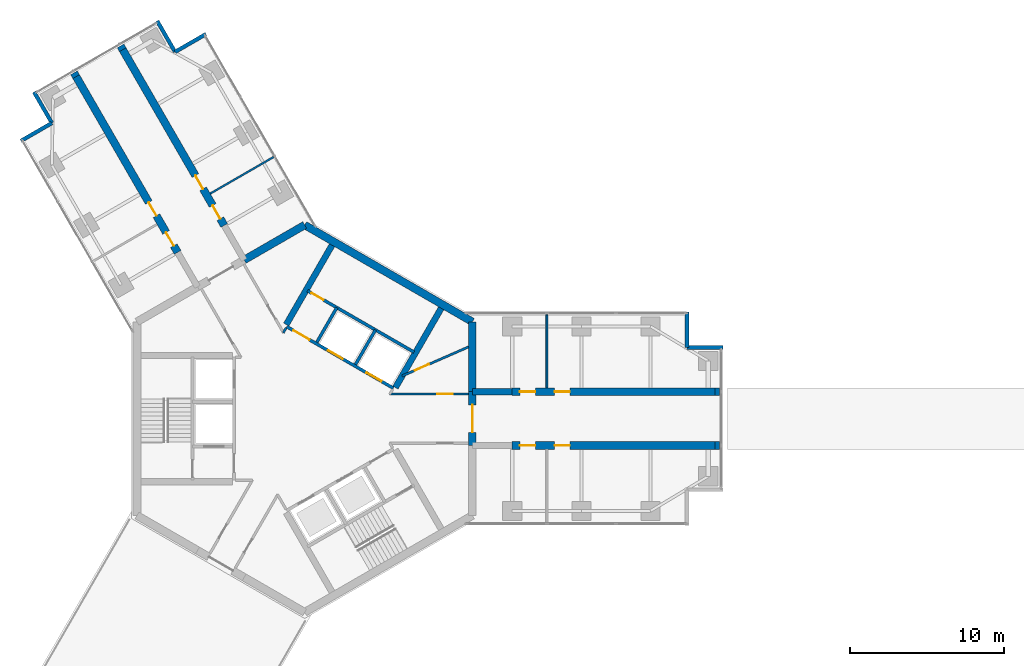
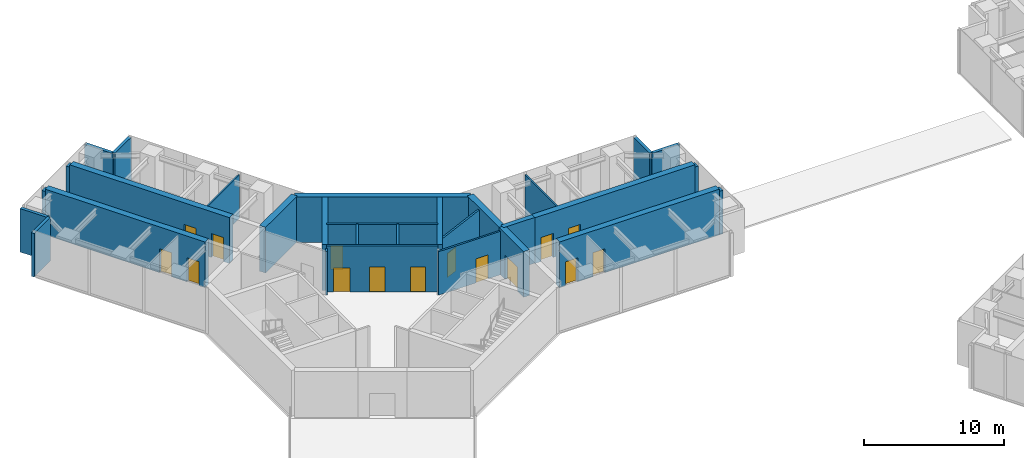
# One storey, part 13 of 18: 30 walls, 15 doors, 15 openings.
"""IFC4 building model written with IfcOpenShell, lengths in metres."""

from ifc_helpers import new_model, si_unit, direction, frame, frame_2d, origin, place, context, subcontext, project, spatial, rectangle, extrude, material, layer, layer_set, type_object, element, fill, save


model = new_model("IFC4")

# Units and contexts
model_context = context("Model", 3, precision=1e-05, world=origin(), true_north=direction((0.0, 1.0)))
body_context = subcontext(model_context, "Body", "Model", "MODEL_VIEW")
ifc_project = project(units=[si_unit("LENGTHUNIT", "METRE"), si_unit("AREAUNIT", "SQUARE_METRE"), si_unit("VOLUMEUNIT", "CUBIC_METRE"), si_unit("PLANEANGLEUNIT", "RADIAN"), si_unit("MASSUNIT", "GRAM", prefix="KILO")], contexts=[model_context])

# Site, building, storey
site_placement = place(None, origin())
site = spatial("IfcSite", under=ifc_project, at=site_placement, CompositionType="ELEMENT")
building_placement = place(site_placement, origin())
building = spatial("IfcBuilding", under=site, at=building_placement, Name="Upepo Twin Towers", CompositionType="ELEMENT")
storey_placement = place(building_placement, frame((0.0, 0.0, 170.5)))
storey = spatial("IfcBuildingStorey", under=building, at=storey_placement, Name="L41", CompositionType="ELEMENT", Elevation=170.5)

# Walls
ifc_material_1 = material(Name="Dense concrete blockwork", Category="masonry")
ifc_layer_1 = layer(ifc_material_1, 0.5)
ifc_layer_set_1 = layer_set([ifc_layer_1], Name="Buttress closer 500, blockwork with fire-stopping to the curtain wall")
wall_type_1 = type_object("IfcWallType", Name="Buttress closer 500, blockwork with fire-stopping to the curtain wall", PredefinedType="PARTITIONING", material=ifc_layer_set_1)
for number, where, z_axis, x_axis, name in (
    (1, (26.699951171875, 1.75, 0.0), (0.0, 0.0, 1.0), (1.0, 0.0, 0.0), "T1 L41 wing A buttress closer L"),
    (2, (26.699951171875, -1.75, 0.0), (0.0, 0.0, 1.0), (1.0, 0.0, 0.0), "T1 L41 wing A buttress closer R"),
    (3, (-14.865478515625, 22.247802734375, 0.0), (0.0, 0.0, 1.0), (-0.500065409566, 0.86598763626, 0.0), "T1 L41 wing B buttress closer L"),
    (4, (-11.83447265625, 23.997802734375, 0.0), (0.0, 0.0, 1.0), (-0.500065409566, 0.86598763626, 0.0), "T1 L41 wing B buttress closer R"),
):
    element("IfcWall", number, at=place(storey_placement, frame(where, z_axis=z_axis, x_axis=x_axis)), inside=storey, type_object=wall_type_1, Name=name, PredefinedType="PARTITIONING", context=body_context, shape_type="SweptSolid", body=[
        extrude(rectangle(XDim=0.28759765625, YDim=0.5, at=frame_2d((0.143798828125, 0.0))), origin(), (0.0, 0.0, 1.0), 3.800048828125),
    ])
ifc_material_2 = material(Name="Concrete C60/75", Category="concrete")
ifc_layer_2 = layer(ifc_material_2, 0.39990234375)
ifc_layer_set_2 = layer_set([ifc_layer_2], Name="Concrete C60/75")
wall_type_2 = type_object("IfcWallType", Name="Buttress wall 400 RC", PredefinedType="SHEAR", material=ifc_layer_set_2)
wall_1_placement = place(storey_placement, frame((10.908447265625, 1.75, 0.0), z_axis=(0.0, 0.0, 1.0), x_axis=(1.0, 0.0, 0.0)))
element("IfcWall", 5, at=wall_1_placement, inside=storey, type_object=wall_type_2, Name="T1 wing A buttress wall L", PredefinedType="SHEAR", context=body_context, shape_type="SweptSolid", body=[
    extrude(rectangle(XDim=2.591552734375, YDim=0.39990234375, at=frame_2d((1.2958984375, 0.0))), origin(), (0.0, 0.0, 1.0), 4.0),
])

# Wall, openings, doors
ifc_material_3 = material(Name="Concrete C60/75", Category="concrete")
ifc_layer_3 = layer(ifc_material_3, 0.5)
ifc_layer_set_3 = layer_set([ifc_layer_3], Name="Concrete C60/75")
wall_type_3 = type_object("IfcWallType", Name="Buttress wall 500 RC", PredefinedType="SHEAR", material=ifc_layer_set_3)
wall_2_placement = place(storey_placement, frame((13.5, 1.75, 0.0), z_axis=(0.0, 0.0, 1.0), x_axis=(1.0, 0.0, 0.0)))
wall_2 = element("IfcWall", 6, at=wall_2_placement, inside=storey, type_object=wall_type_3, Name="T1 wing A buttress wall L part 2", PredefinedType="SHEAR", context=body_context, shape_type="SweptSolid", body=[
    extrude(rectangle(XDim=13.199951171875, YDim=0.5, at=frame_2d((6.60009765625, 0.0))), origin(), (0.0, 0.0, 1.0), 4.0),
])
opening_1_placement = place(wall_2_placement, frame((0.5, 0.0, 0.0)))
opening_1 = element("IfcOpeningElement", 7, at=opening_1_placement, cuts=wall_2, Name="Opening D15", PredefinedType="OPENING", context=body_context, shape_type="SweptSolid", body=[
    extrude(rectangle(XDim=1.0, YDim=2.10009765625, at=frame_2d((0.5, 1.050048828125))), frame((0.0, 0.260009765625, 0.0), z_axis=(0.0, -1.0, 0.0), x_axis=(1.0, 0.0, 0.0)), (0.0, 0.0, 1.0), 0.52001953125),
])
opening_2_placement = place(wall_2_placement, frame((2.75, 0.0, 0.0)))
opening_2 = element("IfcOpeningElement", 8, at=opening_2_placement, cuts=wall_2, Name="Opening D15", PredefinedType="OPENING", context=body_context, shape_type="SweptSolid", body=[
    extrude(rectangle(XDim=1.0, YDim=2.10009765625, at=frame_2d((0.5, 1.050048828125))), frame((0.0, 0.260009765625, 0.0), z_axis=(0.0, -1.0, 0.0), x_axis=(1.0, 0.0, 0.0)), (0.0, 0.0, 1.0), 0.52001953125),
])
ifc_material_4 = material(Name="Timber doorset", Category="wood")
door_type_1 = type_object("IfcDoorType", Name="Glazed door 1000 FD30", OperationType="SINGLE_SWING_LEFT", PredefinedType="DOOR", material=ifc_material_4)
door_1_placement = place(opening_1_placement, origin())
door_1 = element("IfcDoor", 9, at=door_1_placement, inside=storey, type_object=door_type_1, Name="T1 L41 faculty office door", OperationType="SINGLE_SWING_LEFT", OverallHeight=2.10009765625, OverallWidth=1.0, PredefinedType="DOOR", context=body_context, shape_type="SweptSolid", body=[
    extrude(rectangle(XDim=1.0, YDim=2.10009765625, at=frame_2d((0.5, 1.050048828125))), frame((0.0, 0.02490234375, 0.0), z_axis=(0.0, -1.0, 0.0), x_axis=(1.0, 0.0, 0.0)), (0.0, 0.0, 1.0), 0.050048828125),
])
fill(opening_1, door_1)
door_2_placement = place(opening_2_placement, origin())
door_2 = element("IfcDoor", 10, at=door_2_placement, inside=storey, type_object=door_type_1, Name="T1 L41 student sky lounge door", OperationType="SINGLE_SWING_LEFT", OverallHeight=2.10009765625, OverallWidth=1.0, PredefinedType="DOOR", context=body_context, shape_type="SweptSolid", body=[
    extrude(rectangle(XDim=1.0, YDim=2.10009765625, at=frame_2d((0.5, 1.050048828125))), frame((0.0, 0.02490234375, 0.0), z_axis=(0.0, -1.0, 0.0), x_axis=(1.0, 0.0, 0.0)), (0.0, 0.0, 1.0), 0.050048828125),
])
fill(opening_2, door_2)

wall_3_placement = place(storey_placement, frame((13.5, -1.75, 0.0), z_axis=(0.0, 0.0, 1.0), x_axis=(1.0, 0.0, 0.0)))
wall_3 = element("IfcWall", 11, at=wall_3_placement, inside=storey, type_object=wall_type_3, Name="T1 wing A buttress wall R part 2", PredefinedType="SHEAR", context=body_context, shape_type="SweptSolid", body=[
    extrude(rectangle(XDim=13.199951171875, YDim=0.5, at=frame_2d((6.60009765625, 0.0))), origin(), (0.0, 0.0, 1.0), 4.0),
])
opening_3_placement = place(wall_3_placement, frame((0.5, 0.0, 0.0)))
opening_3 = element("IfcOpeningElement", 12, at=opening_3_placement, cuts=wall_3, Name="Opening D15", PredefinedType="OPENING", context=body_context, shape_type="SweptSolid", body=[
    extrude(rectangle(XDim=1.0, YDim=2.10009765625, at=frame_2d((0.5, 1.050048828125))), frame((0.0, 0.260009765625, 0.0), z_axis=(0.0, -1.0, 0.0), x_axis=(1.0, 0.0, 0.0)), (0.0, 0.0, 1.0), 0.52001953125),
])
opening_4_placement = place(wall_3_placement, frame((2.75, 0.0, 0.0)))
opening_4 = element("IfcOpeningElement", 13, at=opening_4_placement, cuts=wall_3, Name="Opening D15", PredefinedType="OPENING", context=body_context, shape_type="SweptSolid", body=[
    extrude(rectangle(XDim=1.0, YDim=2.10009765625, at=frame_2d((0.5, 1.050048828125))), frame((0.0, 0.260009765625, 0.0), z_axis=(0.0, -1.0, 0.0), x_axis=(1.0, 0.0, 0.0)), (0.0, 0.0, 1.0), 0.52001953125),
])
door_3_placement = place(opening_3_placement, origin())
door_3 = element("IfcDoor", 14, at=door_3_placement, inside=storey, type_object=door_type_1, Name="T1 L41 faculty office door", OperationType="SINGLE_SWING_LEFT", OverallHeight=2.10009765625, OverallWidth=1.0, PredefinedType="DOOR", context=body_context, shape_type="SweptSolid", body=[
    extrude(rectangle(XDim=1.0, YDim=2.10009765625, at=frame_2d((0.5, 1.050048828125))), frame((0.0, 0.02490234375, 0.0), z_axis=(0.0, -1.0, 0.0), x_axis=(1.0, 0.0, 0.0)), (0.0, 0.0, 1.0), 0.050048828125),
])
fill(opening_3, door_3)
door_4_placement = place(opening_4_placement, origin())
door_4 = element("IfcDoor", 15, at=door_4_placement, inside=storey, type_object=door_type_1, Name="T1 L41 postgraduate research office door", OperationType="SINGLE_SWING_LEFT", OverallHeight=2.10009765625, OverallWidth=1.0, PredefinedType="DOOR", context=body_context, shape_type="SweptSolid", body=[
    extrude(rectangle(XDim=1.0, YDim=2.10009765625, at=frame_2d((0.5, 1.050048828125))), frame((0.0, 0.02490234375, 0.0), z_axis=(0.0, -1.0, 0.0), x_axis=(1.0, 0.0, 0.0)), (0.0, 0.0, 1.0), 0.050048828125),
])
fill(opening_4, door_4)

wall_4_placement = place(storey_placement, frame((-8.265625, 10.81640625, 0.0), z_axis=(0.0, 0.0, 1.0), x_axis=(-0.499996231654, 0.866027579429, 0.0)))
wall_4 = element("IfcWall", 16, at=wall_4_placement, inside=storey, type_object=wall_type_3, Name="T1 wing B buttress wall L part 2", PredefinedType="SHEAR", context=body_context, shape_type="SweptSolid", body=[
    extrude(rectangle(XDim=13.19970703125, YDim=0.5, at=frame_2d((6.599853515625, 0.0))), origin(), (0.0, 0.0, 1.0), 4.0),
])
opening_5_placement = place(wall_4_placement, frame((0.5, 0.0, 0.0)))
opening_5 = element("IfcOpeningElement", 17, at=opening_5_placement, cuts=wall_4, Name="Opening D15", PredefinedType="OPENING", context=body_context, shape_type="SweptSolid", body=[
    extrude(rectangle(XDim=1.0, YDim=2.10009765625, at=frame_2d((0.5, 1.050048828125))), frame((0.0, 0.260009765625, 0.0), z_axis=(0.0, -1.0, 0.0), x_axis=(1.0, 0.0, 0.0)), (0.0, 0.0, 1.0), 0.52001953125),
])
opening_6_placement = place(wall_4_placement, frame((2.75, 0.0, 0.0)))
opening_6 = element("IfcOpeningElement", 18, at=opening_6_placement, cuts=wall_4, Name="Opening D15", PredefinedType="OPENING", context=body_context, shape_type="SweptSolid", body=[
    extrude(rectangle(XDim=1.0, YDim=2.10009765625, at=frame_2d((0.5, 1.050048828125))), frame((0.0, 0.260009765625, 0.0), z_axis=(0.0, -1.0, 0.0), x_axis=(1.0, 0.0, 0.0)), (0.0, 0.0, 1.0), 0.52001953125),
])
door_5_placement = place(opening_5_placement, origin())
door_5 = element("IfcDoor", 19, at=door_5_placement, inside=storey, type_object=door_type_1, Name="T1 L41 faculty office door", OperationType="SINGLE_SWING_LEFT", OverallHeight=2.10009765625, OverallWidth=1.0, PredefinedType="DOOR", context=body_context, shape_type="SweptSolid", body=[
    extrude(rectangle(XDim=1.0, YDim=2.10009765625, at=frame_2d((0.5, 1.050048828125))), frame((0.0, 0.02490234375, 0.0), z_axis=(0.0, -1.0, 0.0), x_axis=(1.0, 0.0, 0.0)), (0.0, 0.0, 1.0), 0.050048828125),
])
fill(opening_5, door_5)
door_6_placement = place(opening_6_placement, origin())
door_6 = element("IfcDoor", 20, at=door_6_placement, inside=storey, type_object=door_type_1, Name="T1 L41 postgraduate research office door", OperationType="SINGLE_SWING_LEFT", OverallHeight=2.10009765625, OverallWidth=1.0, PredefinedType="DOOR", context=body_context, shape_type="SweptSolid", body=[
    extrude(rectangle(XDim=1.0, YDim=2.10009765625, at=frame_2d((0.5, 1.050048828125))), frame((0.0, 0.02490234375, 0.0), z_axis=(0.0, -1.0, 0.0), x_axis=(1.0, 0.0, 0.0)), (0.0, 0.0, 1.0), 0.050048828125),
])
fill(opening_6, door_6)

wall_5_placement = place(storey_placement, frame((-5.234375, 12.56640625, 0.0), z_axis=(0.0, 0.0, 1.0), x_axis=(-0.500010103361, 0.866019570528, 0.0)))
wall_5 = element("IfcWall", 21, at=wall_5_placement, inside=storey, type_object=wall_type_3, Name="T1 wing B buttress wall R part 2", PredefinedType="SHEAR", context=body_context, shape_type="SweptSolid", body=[
    extrude(rectangle(XDim=13.199951171875, YDim=0.5, at=frame_2d((6.60009765625, 0.0))), origin(), (0.0, 0.0, 1.0), 4.0),
])
opening_7_placement = place(wall_5_placement, frame((0.5, 0.0, 0.0)))
opening_7 = element("IfcOpeningElement", 22, at=opening_7_placement, cuts=wall_5, Name="Opening D15", PredefinedType="OPENING", context=body_context, shape_type="SweptSolid", body=[
    extrude(rectangle(XDim=1.0, YDim=2.10009765625, at=frame_2d((0.5, 1.050048828125))), frame((0.0, 0.260009765625, 0.0), z_axis=(0.0, -1.0, 0.0), x_axis=(1.0, 0.0, 0.0)), (0.0, 0.0, 1.0), 0.52001953125),
])
opening_8_placement = place(wall_5_placement, frame((2.75, 0.0, 0.0)))
opening_8 = element("IfcOpeningElement", 23, at=opening_8_placement, cuts=wall_5, Name="Opening D15", PredefinedType="OPENING", context=body_context, shape_type="SweptSolid", body=[
    extrude(rectangle(XDim=1.0, YDim=2.10009765625, at=frame_2d((0.5, 1.050048828125))), frame((0.0, 0.260009765625, 0.0), z_axis=(0.0, -1.0, 0.0), x_axis=(1.0, 0.0, 0.0)), (0.0, 0.0, 1.0), 0.52001953125),
])
door_7_placement = place(opening_7_placement, origin())
door_7 = element("IfcDoor", 24, at=door_7_placement, inside=storey, type_object=door_type_1, Name="T1 L41 faculty office door", OperationType="SINGLE_SWING_LEFT", OverallHeight=2.10009765625, OverallWidth=1.0, PredefinedType="DOOR", context=body_context, shape_type="SweptSolid", body=[
    extrude(rectangle(XDim=1.0, YDim=2.10009765625, at=frame_2d((0.5, 1.050048828125))), frame((0.0, 0.02490234375, 0.0), z_axis=(0.0, -1.0, 0.0), x_axis=(1.0, 0.0, 0.0)), (0.0, 0.0, 1.0), 0.050048828125),
])
fill(opening_7, door_7)
door_8_placement = place(opening_8_placement, origin())
door_8 = element("IfcDoor", 25, at=door_8_placement, inside=storey, type_object=door_type_1, Name="T1 L41 postgraduate research office door", OperationType="SINGLE_SWING_LEFT", OverallHeight=2.10009765625, OverallWidth=1.0, PredefinedType="DOOR", context=body_context, shape_type="SweptSolid", body=[
    extrude(rectangle(XDim=1.0, YDim=2.10009765625, at=frame_2d((0.5, 1.050048828125))), frame((0.0, 0.02490234375, 0.0), z_axis=(0.0, -1.0, 0.0), x_axis=(1.0, 0.0, 0.0)), (0.0, 0.0, 1.0), 0.050048828125),
])
fill(opening_8, door_8)

# Wall, opening, door
ifc_material_5 = material(Name="Concrete C60/75", Category="concrete")
ifc_layer_4 = layer(ifc_material_5, 0.5)
ifc_layer_set_4 = layer_set([ifc_layer_4], Name="Concrete C60/75")
wall_type_4 = type_object("IfcWallType", Name="Core wall 500 RC", PredefinedType="SHEAR", material=ifc_layer_set_4)
wall_6_placement = place(storey_placement, frame((10.908447265625, -1.75, 0.0), z_axis=(0.0, 0.0, 1.0), x_axis=(0.0, 1.0, 0.0)))
wall_6 = element("IfcWall", 26, at=wall_6_placement, inside=storey, type_object=wall_type_4, Name="T1 core wall 000", PredefinedType="SHEAR", context=body_context, shape_type="SweptSolid", body=[
    extrude(rectangle(XDim=3.5, YDim=0.5, at=frame_2d((1.75, 0.0))), origin(), (0.0, 0.0, 1.0), 4.0),
])
opening_9_placement = place(wall_6_placement, frame((0.85009765625, 0.0, 0.0)))
opening_9 = element("IfcOpeningElement", 27, at=opening_9_placement, cuts=wall_6, Name="Opening D2", PredefinedType="OPENING", context=body_context, shape_type="SweptSolid", body=[
    extrude(rectangle(XDim=1.800048828125, YDim=2.10009765625, at=frame_2d((0.89990234375, 1.050048828125))), frame((0.0, 0.260009765625, 0.0), z_axis=(0.0, -1.0, 0.0), x_axis=(1.0, 0.0, 0.0)), (0.0, 0.0, 1.0), 0.52001953125),
])
ifc_material_6 = material(Name="Timber doorset", Category="wood")
door_type_2 = type_object("IfcDoorType", Name="Corridor double door 1800 FD60", OperationType="DOUBLE_DOOR_DOUBLE_SWING", PredefinedType="DOOR", material=ifc_material_6)
door_9_placement = place(opening_9_placement, origin())
door_9 = element("IfcDoor", 28, at=door_9_placement, inside=storey, type_object=door_type_2, Name="T1 L41 wing A corridor door", OperationType="DOUBLE_DOOR_DOUBLE_SWING", OverallHeight=2.10009765625, OverallWidth=1.800048828125, PredefinedType="DOOR", context=body_context, shape_type="SweptSolid", body=[
    extrude(rectangle(XDim=1.800048828125, YDim=2.10009765625, at=frame_2d((0.89990234375, 1.050048828125))), frame((0.0, 0.02490234375, 0.0), z_axis=(0.0, -1.0, 0.0), x_axis=(1.0, 0.0, 0.0)), (0.0, 0.0, 1.0), 0.050048828125),
])
fill(opening_9, door_9)

# Walls
wall_7_placement = place(storey_placement, frame((10.908447265625, 1.75, 0.0), z_axis=(0.0, 0.0, 1.0), x_axis=(0.0, 1.0, 0.0)))
element("IfcWall", 29, at=wall_7_placement, inside=storey, type_object=wall_type_4, Name="T1 core wall 000 L", PredefinedType="SHEAR", context=body_context, shape_type="SweptSolid", body=[
    extrude(rectangle(XDim=4.5478515625, YDim=0.5, at=frame_2d((2.27392578125, 0.0))), origin(), (0.0, 0.0, 1.0), 4.0),
])
wall_8_placement = place(storey_placement, frame((10.908447265625, 6.2978515625, 0.0), z_axis=(0.0, 0.0, 1.0), x_axis=(-0.866021940709, 0.500005998175, 0.0)))
element("IfcWall", 30, at=wall_8_placement, inside=storey, type_object=wall_type_4, Name="T1 core wall 060", PredefinedType="SHEAR", context=body_context, shape_type="SweptSolid", body=[
    extrude(rectangle(XDim=12.595947265625, YDim=0.5, at=frame_2d((6.2978515625, 0.0))), origin(), (0.0, 0.0, 1.0), 4.0),
])
wall_9_placement = place(storey_placement, frame((0.0, 12.595947265625, 0.0), z_axis=(0.0, 0.0, 1.0), x_axis=(-0.866011268655, -0.500024481964, 0.0)))
element("IfcWall", 31, at=wall_9_placement, inside=storey, type_object=wall_type_4, Name="T1 core wall 120 R", PredefinedType="SHEAR", context=body_context, shape_type="SweptSolid", body=[
    extrude(rectangle(XDim=4.548095703125, YDim=0.5, at=frame_2d((2.27392578125, 0.0))), origin(), (0.0, 0.0, 1.0), 4.0),
])
ifc_material_7 = material(Name="Laminated glass in an aluminium frame", Category="aluminium")
ifc_layer_5 = layer(ifc_material_7, 0.1201171875)
ifc_layer_set_5 = layer_set([ifc_layer_5], Name="Glazed partition 120, aluminium framed")
wall_type_5 = type_object("IfcWallType", Name="Glazed partition 120, aluminium framed", PredefinedType="PARTITIONING", material=ifc_layer_set_5)
wall_10_placement = place(storey_placement, frame((15.75, 2.0, 0.0), z_axis=(0.0, 0.0, 1.0), x_axis=(0.0, 1.0, 0.0)))
element("IfcWall", 32, at=wall_10_placement, inside=storey, type_object=wall_type_5, Name="T1 partition AL at 15.75", PredefinedType="PARTITIONING", context=body_context, shape_type="SweptSolid", body=[
    extrude(rectangle(XDim=4.75, YDim=0.1201171875, at=frame_2d((2.375, 0.0))), origin(), (0.0, 0.0, 1.0), 3.800048828125),
])
wall_11_placement = place(storey_placement, frame((-6.14306640625, 14.639892578125, 0.0), z_axis=(0.0, 0.0, 1.0), x_axis=(0.866033238375, 0.499986429846, 0.0)))
element("IfcWall", 33, at=wall_11_placement, inside=storey, type_object=wall_type_5, Name="T1 partition BR at 15.75", PredefinedType="PARTITIONING", context=body_context, shape_type="SweptSolid", body=[
    extrude(rectangle(XDim=4.750244140625, YDim=0.1201171875, at=frame_2d((2.375, 0.0))), origin(), (0.0, 0.0, 1.0), 3.800048828125),
])
ifc_material_8 = material(Name="Blockwork with anodised aluminium cladding", Category="masonry")
ifc_layer_6 = layer(ifc_material_8, 0.25)
ifc_layer_set_6 = layer_set([ifc_layer_6], Name="Notch cladding wall 250, pale metal")
wall_type_6 = type_object("IfcWallType", Name="Notch cladding wall 250, pale metal", PredefinedType="STANDARD", material=ifc_layer_set_6)
for number, where, z_axis, x_axis, name in (
    (34, (24.875, 6.949951171875, 0.0), (0.0, 0.0, 1.0), (0.0, -1.0, 0.0), "T1 L41 wing A notch wall L1"),
    (35, (24.875, 4.625, 0.0), (0.0, 0.0, 1.0), (1.0, 0.0, 0.0), "T1 L41 wing A notch wall L2"),
    (36, (-18.456298828125, 18.0673828125, 0.0), (0.0, 0.0, 1.0), (0.865998469481, 0.500046648681, 0.0), "T1 L41 wing B notch wall L1"),
    (37, (-16.44287109375, 19.22998046875, 0.0), (0.0, 0.0, 1.0), (-0.500046648681, 0.865998469481, 0.0), "T1 L41 wing B notch wall L2"),
    (38, (-6.418701171875, 25.017333984375, 0.0), (0.0, 0.0, 1.0), (-0.866043940782, -0.499967891604, 0.0), "T1 L41 wing B notch wall R1"),
    (39, (-8.43212890625, 23.85498046875, 0.0), (0.0, 0.0, 1.0), (-0.500046648681, 0.865998469481, 0.0), "T1 L41 wing B notch wall R2"),
):
    element("IfcWall", number, at=place(storey_placement, frame(where, z_axis=z_axis, x_axis=x_axis)), inside=storey, type_object=wall_type_6, Name=name, PredefinedType="STANDARD", context=body_context, shape_type="SweptSolid", body=[
        extrude(rectangle(XDim=2.324951171875, YDim=0.25, at=frame_2d((1.16259765625, 0.0))), origin(), (0.0, 0.0, 1.0), 3.800048828125),
    ])

# Wall, openings, doors
ifc_material_9 = material(Name="Concrete C40/50", Category="concrete")
ifc_layer_7 = layer(ifc_material_9, 0.199951171875)
ifc_layer_set_7 = layer_set([ifc_layer_7], Name="Concrete C40/50")
wall_type_7 = type_object("IfcWallType", Name="Shaft wall 200 RC", PredefinedType="SHEAR", material=ifc_layer_set_7)
wall_12_placement = place(storey_placement, frame((5.76416015625, 1.983642578125, 0.0), z_axis=(0.0, 0.0, 1.0), x_axis=(-0.866026010844, 0.49999894854, 0.0)))
wall_12 = element("IfcWall", 40, at=wall_12_placement, inside=storey, type_object=wall_type_7, Name="T1 core W60 front wall", PredefinedType="SHEAR", context=body_context, shape_type="SweptSolid", body=[
    extrude(rectangle(XDim=8.0, YDim=0.199951171875, at=frame_2d((4.0, 0.0))), origin(), (0.0, 0.0, 1.0), 4.0),
])
opening_10_placement = place(wall_12_placement, frame((6.300048828125, 0.0, 0.0)))
opening_10 = element("IfcOpeningElement", 41, at=opening_10_placement, cuts=wall_12, Name="Opening D4", PredefinedType="OPENING", context=body_context, shape_type="SweptSolid", body=[
    extrude(rectangle(XDim=1.199951171875, YDim=2.10009765625, at=frame_2d((0.60009765625, 1.050048828125))), frame((0.0, 0.10986328125, 0.0), z_axis=(0.0, -1.0, 0.0), x_axis=(1.0, 0.0, 0.0)), (0.0, 0.0, 1.0), 0.219970703125),
])
opening_11_placement = place(wall_12_placement, frame((0.89990234375, 0.0, 0.0)))
opening_11 = element("IfcOpeningElement", 42, at=opening_11_placement, cuts=wall_12, Name="Opening LD1", PredefinedType="OPENING", context=body_context, shape_type="SweptSolid", body=[
    extrude(rectangle(XDim=1.10009765625, YDim=2.199951171875, at=frame_2d((0.550048828125, 1.10009765625))), frame((0.0, 0.10986328125, 0.0), z_axis=(0.0, -1.0, 0.0), x_axis=(1.0, 0.0, 0.0)), (0.0, 0.0, 1.0), 0.219970703125),
])
opening_12_placement = place(wall_12_placement, frame((3.800048828125, 0.0, 0.0)))
opening_12 = element("IfcOpeningElement", 43, at=opening_12_placement, cuts=wall_12, Name="Opening LD1", PredefinedType="OPENING", context=body_context, shape_type="SweptSolid", body=[
    extrude(rectangle(XDim=1.10009765625, YDim=2.199951171875, at=frame_2d((0.550048828125, 1.10009765625))), frame((0.0, 0.10986328125, 0.0), z_axis=(0.0, -1.0, 0.0), x_axis=(1.0, 0.0, 0.0)), (0.0, 0.0, 1.0), 0.219970703125),
])
ifc_material_10 = material(Name="Steel doorset", Category="steel")
door_type_3 = type_object("IfcDoorType", Name="Lift landing door 1100", OperationType="DOUBLE_DOOR_SLIDING", PredefinedType="DOOR", material=ifc_material_10)
door_10_placement = place(opening_11_placement, origin())
door_10 = element("IfcDoor", 44, at=door_10_placement, inside=storey, type_object=door_type_3, Name="T1 L41 lift EX1 landing door", OperationType="DOUBLE_DOOR_SLIDING", OverallHeight=2.199951171875, OverallWidth=1.10009765625, PredefinedType="DOOR", context=body_context, shape_type="SweptSolid", body=[
    extrude(rectangle(XDim=1.10009765625, YDim=2.199951171875, at=frame_2d((0.550048828125, 1.10009765625))), frame((0.0, 0.02490234375, 0.0), z_axis=(0.0, -1.0, 0.0), x_axis=(1.0, 0.0, 0.0)), (0.0, 0.0, 1.0), 0.050048828125),
])
fill(opening_11, door_10)
door_11_placement = place(opening_12_placement, origin())
door_11 = element("IfcDoor", 45, at=door_11_placement, inside=storey, type_object=door_type_3, Name="T1 L41 lift EX2 landing door", OperationType="DOUBLE_DOOR_SLIDING", OverallHeight=2.199951171875, OverallWidth=1.10009765625, PredefinedType="DOOR", context=body_context, shape_type="SweptSolid", body=[
    extrude(rectangle(XDim=1.10009765625, YDim=2.199951171875, at=frame_2d((0.550048828125, 1.10009765625))), frame((0.0, 0.02490234375, 0.0), z_axis=(0.0, -1.0, 0.0), x_axis=(1.0, 0.0, 0.0)), (0.0, 0.0, 1.0), 0.050048828125),
])
fill(opening_12, door_11)
ifc_material_11 = material(Name="Timber doorset", Category="wood")
door_type_4 = type_object("IfcDoorType", Name="Lobby door 1200 FD60", OperationType="SINGLE_SWING_LEFT", PredefinedType="DOOR", material=ifc_material_11)
door_12_placement = place(opening_10_placement, origin())
door_12 = element("IfcDoor", 46, at=door_12_placement, inside=storey, type_object=door_type_4, Name="T1 L41 W60 lobby door", OperationType="SINGLE_SWING_RIGHT", OverallHeight=2.10009765625, OverallWidth=1.199951171875, PredefinedType="DOOR", context=body_context, shape_type="SweptSolid", body=[
    extrude(rectangle(XDim=1.199951171875, YDim=2.10009765625, at=frame_2d((0.60009765625, 1.050048828125))), frame((0.0, 0.02490234375, 0.0), z_axis=(0.0, -1.0, 0.0), x_axis=(1.0, 0.0, 0.0)), (0.0, 0.0, 1.0), 0.050048828125),
])
fill(opening_10, door_12)

# Walls
for number, where, z_axis, x_axis, name in (
    (47, (3.302734375, 3.520263671875, 0.0), (0.0, 0.0, 1.0), (0.499936506574, 0.866062058628, 0.0), "T1 core W60 shaft divider"),
    (48, (0.791259765625, 4.97021484375, 0.0), (0.0, 0.0, 1.0), (0.499936506574, 0.866062058628, 0.0), "T1 core W60 lobby wall"),
):
    element("IfcWall", number, at=place(storey_placement, frame(where, z_axis=z_axis, x_axis=x_axis)), inside=storey, type_object=wall_type_7, Name=name, PredefinedType="SHEAR", context=body_context, shape_type="SweptSolid", body=[
        extrude(rectangle(XDim=2.599853515625, YDim=0.199951171875, at=frame_2d((1.2998046875, 0.0))), origin(), (0.0, 0.0, 1.0), 4.0),
    ])

# Wall, opening, door
wall_13_placement = place(storey_placement, frame((7.114013671875, 4.322021484375, 0.0), z_axis=(0.0, 0.0, 1.0), x_axis=(-0.866026010844, 0.49999894854, 0.0)))
wall_13 = element("IfcWall", 49, at=wall_13_placement, inside=storey, type_object=wall_type_7, Name="T1 core W60 stair wall", PredefinedType="SHEAR", context=body_context, shape_type="SweptSolid", body=[
    extrude(rectangle(XDim=8.0, YDim=0.199951171875, at=frame_2d((4.0, 0.0))), origin(), (0.0, 0.0, 1.0), 4.0),
])
opening_13_placement = place(wall_13_placement, frame((6.800048828125, 0.0, 0.0)))
opening_13 = element("IfcOpeningElement", 50, at=opening_13_placement, cuts=wall_13, Name="Opening D9", PredefinedType="OPENING", context=body_context, shape_type="SweptSolid", body=[
    extrude(rectangle(XDim=0.89990234375, YDim=2.10009765625, at=frame_2d((0.449951171875, 1.050048828125))), frame((0.0, 0.10986328125, 0.0), z_axis=(0.0, -1.0, 0.0), x_axis=(1.0, 0.0, 0.0)), (0.0, 0.0, 1.0), 0.219970703125),
])
ifc_material_12 = material(Name="Timber doorset", Category="wood")
door_type_5 = type_object("IfcDoorType", Name="Riser door 900 FD60", OperationType="SINGLE_SWING_LEFT", PredefinedType="DOOR", material=ifc_material_12)
door_13_placement = place(opening_13_placement, origin())
door_13 = element("IfcDoor", 51, at=door_13_placement, inside=storey, type_object=door_type_5, Name="T1 L41 riser door", OperationType="SINGLE_SWING_RIGHT", OverallHeight=2.10009765625, OverallWidth=0.89990234375, PredefinedType="DOOR", context=body_context, shape_type="SweptSolid", body=[
    extrude(rectangle(XDim=0.89990234375, YDim=2.10009765625, at=frame_2d((0.449951171875, 1.050048828125))), frame((0.0, 0.02490234375, 0.0), z_axis=(0.0, -1.0, 0.0), x_axis=(1.0, 0.0, 0.0)), (0.0, 0.0, 1.0), 0.050048828125),
])
fill(opening_13, door_13)

# Walls
ifc_material_13 = material(Name="Concrete C40/50", Category="concrete")
ifc_layer_8 = layer(ifc_material_13, 0.39990234375)
ifc_layer_set_8 = layer_set([ifc_layer_8], Name="Concrete C40/50")
wall_type_8 = type_object("IfcWallType", Name="Shaft wall 400 RC", PredefinedType="SHEAR", material=ifc_layer_set_8)
wall_14_placement = place(storey_placement, frame((-1.20068359375, 6.120361328125, 0.0), z_axis=(0.0, 0.0, 1.0), x_axis=(0.500021575205, 0.866012946976, 0.0)))
element("IfcWall", 52, at=wall_14_placement, inside=storey, type_object=wall_type_8, Name="T1 core W60 side wall N", PredefinedType="SHEAR", context=body_context, shape_type="SweptSolid", body=[
    extrude(rectangle(XDim=5.958251953125, YDim=0.39990234375, at=frame_2d((2.97900390625, 0.0))), origin(), (0.0, 0.0, 1.0), 4.0),
])
wall_15_placement = place(storey_placement, frame((5.900634765625, 2.020263671875, 0.0), z_axis=(0.0, 0.0, 1.0), x_axis=(0.500003832394, 0.86602319114, 0.0)))
element("IfcWall", 53, at=wall_15_placement, inside=storey, type_object=wall_type_8, Name="T1 core W60 side wall S", PredefinedType="SHEAR", context=body_context, shape_type="SweptSolid", body=[
    extrude(rectangle(XDim=5.95849609375, YDim=0.39990234375, at=frame_2d((2.979248046875, 0.0))), origin(), (0.0, 0.0, 1.0), 4.0),
])
ifc_material_14 = material(Name="Gypsum board on steel studs", Category="steel")
ifc_layer_9 = layer(ifc_material_14, 0.14990234375)
ifc_layer_set_9 = layer_set([ifc_layer_9], Name="Teaching partition 150 acoustic")
wall_type_9 = type_object("IfcWallType", Name="Teaching partition 150 acoustic", PredefinedType="PARTITIONING", material=ifc_layer_set_9)
wall_16_placement = place(storey_placement, frame((-1.3955078125, 5.582763671875, 0.0), z_axis=(0.0, 0.0, 1.0), x_axis=(0.500081290722, 0.865978465477, 0.0)))
element("IfcWall", 54, at=wall_16_placement, inside=storey, type_object=wall_type_9, Name="T1 core room partition 8", PredefinedType="PARTITIONING", context=body_context, shape_type="SweptSolid", body=[
    extrude(rectangle(XDim=0.373046875, YDim=0.14990234375, at=frame_2d((0.1865234375, 0.0))), origin(), (0.0, 0.0, 1.0), 3.800048828125),
])

# Wall, opening, door
wall_17_placement = place(storey_placement, frame((5.522705078125, 1.60009765625, 0.0), z_axis=(0.0, 0.0, 1.0), x_axis=(1.0, 0.0, 0.0)))
wall_17 = element("IfcWall", 55, at=wall_17_placement, inside=storey, type_object=wall_type_9, Name="T1 core room partition 10", PredefinedType="PARTITIONING", context=body_context, shape_type="SweptSolid", body=[
    extrude(rectangle(XDim=5.1455078125, YDim=0.14990234375, at=frame_2d((2.57275390625, 0.0))), origin(), (0.0, 0.0, 1.0), 3.800048828125),
])
opening_14_placement = place(wall_17_placement, frame((3.108154296875, 0.0, 0.0)))
opening_14 = element("IfcOpeningElement", 56, at=opening_14_placement, cuts=wall_17, Name="Opening D1", PredefinedType="OPENING", context=body_context, shape_type="SweptSolid", body=[
    extrude(rectangle(XDim=1.0, YDim=2.10009765625, at=frame_2d((0.5, 1.050048828125))), frame((0.0, 0.0849609375, 0.0), z_axis=(0.0, -1.0, 0.0), x_axis=(1.0, 0.0, 0.0)), (0.0, 0.0, 1.0), 0.169921875),
])
ifc_material_15 = material(Name="Timber doorset", Category="wood")
door_type_6 = type_object("IfcDoorType", Name="Room door 1000 FD30", OperationType="SINGLE_SWING_LEFT", PredefinedType="DOOR", material=ifc_material_15)
door_14_placement = place(opening_14_placement, origin())
door_14 = element("IfcDoor", 57, at=door_14_placement, inside=storey, type_object=door_type_6, Name="T1 L41 core room door K4", OperationType="SINGLE_SWING_RIGHT", OverallHeight=2.10009765625, OverallWidth=1.0, PredefinedType="DOOR", context=body_context, shape_type="SweptSolid", body=[
    extrude(rectangle(XDim=1.0, YDim=2.10009765625, at=frame_2d((0.5, 1.050048828125))), frame((0.0, 0.02490234375, 0.0), z_axis=(0.0, -1.0, 0.0), x_axis=(1.0, 0.0, 0.0)), (0.0, 0.0, 1.0), 0.050048828125),
])
fill(opening_14, door_14)

wall_18_placement = place(storey_placement, frame((6.3359375, 2.774169921875, 0.0), z_axis=(0.0, 0.0, 1.0), x_axis=(0.916033790083, 0.401101103746, 0.0)))
wall_18 = element("IfcWall", 58, at=wall_18_placement, inside=storey, type_object=wall_type_9, Name="T1 core room partition 13", PredefinedType="PARTITIONING", context=body_context, shape_type="SweptSolid", body=[
    extrude(rectangle(XDim=4.718505859375, YDim=0.14990234375, at=frame_2d((2.359375, 0.0))), origin(), (0.0, 0.0, 1.0), 3.800048828125),
])
opening_15_placement = place(wall_18_placement, frame((0.91552734375, 0.0, 0.0)))
opening_15 = element("IfcOpeningElement", 59, at=opening_15_placement, cuts=wall_18, Name="Opening D1", PredefinedType="OPENING", context=body_context, shape_type="SweptSolid", body=[
    extrude(rectangle(XDim=1.0, YDim=2.10009765625, at=frame_2d((0.5, 1.050048828125))), frame((0.0, 0.0849609375, 0.0), z_axis=(0.0, -1.0, 0.0), x_axis=(1.0, 0.0, 0.0)), (0.0, 0.0, 1.0), 0.169921875),
])
door_15_placement = place(opening_15_placement, origin())
door_15 = element("IfcDoor", 60, at=door_15_placement, inside=storey, type_object=door_type_6, Name="T1 L41 core room door K5", OperationType="SINGLE_SWING_LEFT", OverallHeight=2.10009765625, OverallWidth=1.0, PredefinedType="DOOR", context=body_context, shape_type="SweptSolid", body=[
    extrude(rectangle(XDim=1.0, YDim=2.10009765625, at=frame_2d((0.5, 1.050048828125))), frame((0.0, 0.02490234375, 0.0), z_axis=(0.0, -1.0, 0.0), x_axis=(1.0, 0.0, 0.0)), (0.0, 0.0, 1.0), 0.050048828125),
])
fill(opening_15, door_15)

save(model, "model.ifc")
